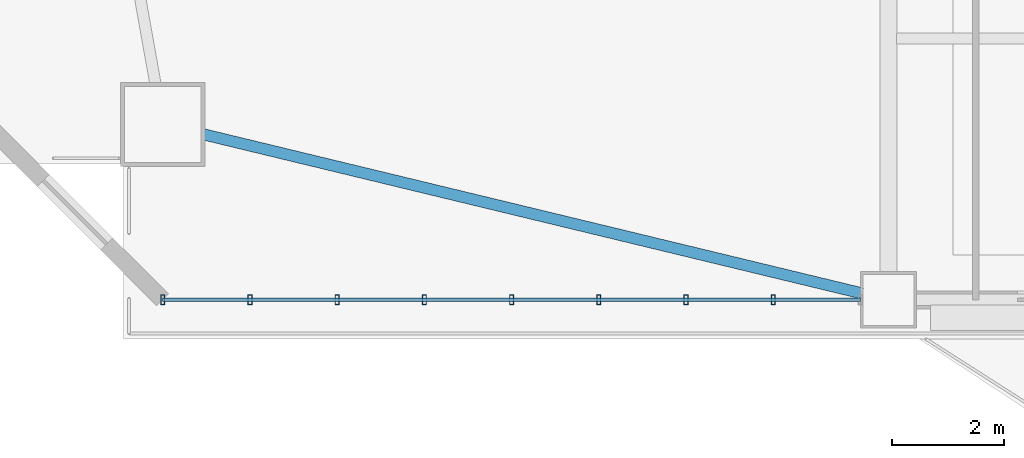
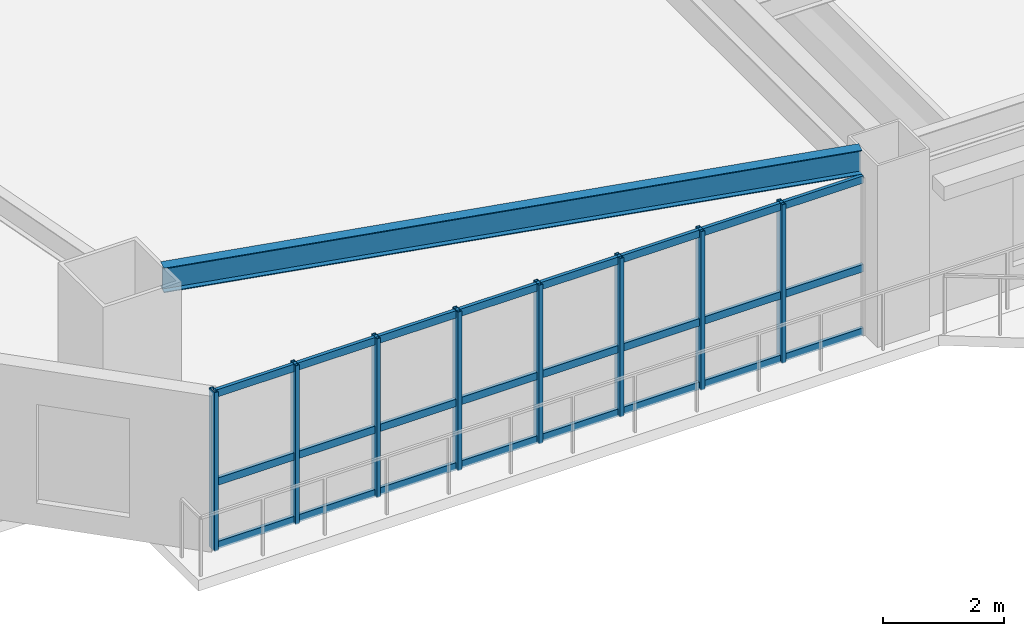
# One storey, part 2 of 18: 11 members, 1 beam, 1 element without a shape of its own.
"""IFC4 building model written with IfcOpenShell, lengths in metres."""

import ifcopenshell
import ifcopenshell.guid

model = None  # the IFC model being written
_history = None  # IfcOwnerHistory: only IFC2X3 demands one
_inside = {}  # id of a spatial element -> (the spatial element, [elements in it])
_under = {}  # id of a project, library or spatial element -> (it, [spatial elements below it])
_declared = {}  # id of a project -> (the project, [libraries it declares])
_typed = {}  # id of a type object -> (the type object, [elements of that type])
_made_of = {}  # id of a material, layer set ... -> (it, [elements and type objects made of it])


def new_model(schema):
    """Start an empty IFC model of exactly this schema.

    Asked for "IFC4X3", IfcOpenShell would pick the latest addendum, in which some entities
    have other attributes; the version numbers below select the first issue.
    IFC2X3 requires an IfcOwnerHistory on every rooted entity: one is made here for all.
    """
    global model, _history
    if schema == "IFC4X3":
        model = ifcopenshell.file(schema_version=(4, 3, 0, 0))
    else:
        model = ifcopenshell.file(schema=schema)
    _inside.clear()
    _under.clear()
    _declared.clear()
    _typed.clear()
    _made_of.clear()
    _history = None
    if model.schema == "IFC2X3":
        org = make("IfcOrganization", Name="unknown")
        user = make(
            "IfcPersonAndOrganization",
            ThePerson=make("IfcPerson", FamilyName="unknown"),
            TheOrganization=org,
        )
        app = make(
            "IfcApplication",
            ApplicationDeveloper=org,
            Version="unknown",
            ApplicationFullName="unknown",
            ApplicationIdentifier="unknown",
        )
        _history = make(
            "IfcOwnerHistory",
            OwningUser=user,
            OwningApplication=app,
            ChangeAction="ADDED",
            CreationDate=0,
        )
    return model


def make(cls, **values):
    """One entity of the class cls with the attributes given. An attribute that is None is left unset."""
    return model.create_entity(
        cls, **{name: value for name, value in values.items() if value is not None}
    )


def rooted(cls, **values):
    """An entity with a GlobalId (a new one), such as an element, a storey or a relation."""
    return make(cls, GlobalId=ifcopenshell.guid.new(), OwnerHistory=_history, **values)


def si_unit(unit_type, name, prefix=None):
    """IfcSIUnit, for example si_unit("LENGTHUNIT", "METRE", prefix="MILLI")."""
    return make("IfcSIUnit", UnitType=unit_type, Prefix=prefix, Name=name)


def assignment(units):
    """IfcUnitAssignment: the units of a project."""
    return None if units is None else make("IfcUnitAssignment", Units=units)


def point(xyz):
    """IfcCartesianPoint."""
    return None if xyz is None else make("IfcCartesianPoint", Coordinates=xyz)


def direction(xyz):
    """IfcDirection."""
    return None if xyz is None else make("IfcDirection", DirectionRatios=xyz)


def frame(location, z_axis=None, x_axis=None):
    """IfcAxis2Placement3D, a coordinate frame: its origin and axes. An axis left out is left unset."""
    return make(
        "IfcAxis2Placement3D",
        Location=point(location),
        Axis=direction(z_axis),
        RefDirection=direction(x_axis),
    )


def frame_2d(location, x_axis=None):
    """IfcAxis2Placement2D, a coordinate frame in the plane: its origin and x axis."""
    return make(
        "IfcAxis2Placement2D", Location=point(location), RefDirection=direction(x_axis)
    )


def origin():
    """The frame at (0, 0, 0) with its axes left unset."""
    return frame((0.0, 0.0, 0.0))


def origin_2d():
    """The frame at (0, 0) in the plane with its x axis left unset."""
    return frame_2d((0.0, 0.0))


def place(relative_to, where):
    """IfcLocalPlacement: puts the frame where relative to a parent placement (None: the world)."""
    return make(
        "IfcLocalPlacement", PlacementRelTo=relative_to, RelativePlacement=where
    )


def context(
    kind, dimensions, precision=None, world=None, true_north=None, identifier=None
):
    """IfcGeometricRepresentationContext, for example the 3D "Model" context."""
    return make(
        "IfcGeometricRepresentationContext",
        ContextIdentifier=identifier,
        ContextType=kind,
        CoordinateSpaceDimension=dimensions,
        Precision=precision,
        WorldCoordinateSystem=world,
        TrueNorth=true_north,
    )


def subcontext(parent, identifier, kind, view, scale=None):
    """IfcGeometricRepresentationSubContext, for example "Body" below "Model"."""
    return make(
        "IfcGeometricRepresentationSubContext",
        ContextIdentifier=identifier,
        ContextType=kind,
        ParentContext=parent,
        TargetScale=scale,
        TargetView=view,
    )


def project(units=None, contexts=None):
    """IfcProject with its units and contexts."""
    return rooted(
        "IfcProject",
        Name="project",
        RepresentationContexts=contexts,
        UnitsInContext=assignment(units),
    )


def spatial(cls, under=None, at=None, **own):
    """A site, building, storey or space (cls), placed at a placement, below another one or the project."""
    s = rooted(cls, ObjectPlacement=at, **own)
    if under is not None:
        _under.setdefault(under.id(), (under, []))[1].append(s)
    return s


def profile(cls, at=None, kind="AREA", **sizes):
    """A parametric profile (cls). Its sizes go by their IFC names, for example OverallWidth=200.0."""
    return make(cls, ProfileType=kind, Position=at, **sizes)


def hollow_rectangle(**sizes):
    """IfcRectangleHollowProfileDef."""
    return profile("IfcRectangleHollowProfileDef", **sizes)


def i_section(**sizes):
    """IfcIShapeProfileDef."""
    return profile("IfcIShapeProfileDef", **sizes)


def extrude(swept, where, along, depth):
    """IfcExtrudedAreaSolid: the profile swept, set in the frame where, extruded along a direction by depth."""
    return make(
        "IfcExtrudedAreaSolid",
        SweptArea=swept,
        Position=where,
        ExtrudedDirection=direction(along),
        Depth=depth,
    )


def shape(context_of_items, identifier, shape_type, items):
    """IfcShapeRepresentation: the items that make up one representation, for example the "Body"."""
    return make(
        "IfcShapeRepresentation",
        ContextOfItems=context_of_items,
        RepresentationIdentifier=identifier,
        RepresentationType=shape_type,
        Items=items,
    )


def source(mapping_origin, context_of_items, identifier, shape_type, items):
    """IfcRepresentationMap: a shape defined once, which mapped items show again and again."""
    return make(
        "IfcRepresentationMap",
        MappingOrigin=mapping_origin,
        MappedRepresentation=shape(context_of_items, identifier, shape_type, items),
    )


def transform(
    local_origin,
    x_axis=None,
    y_axis=None,
    z_axis=None,
    scale=None,
    scale2=None,
    scale3=None,
    uniform=True,
):
    """IfcCartesianTransformationOperator3D, or its non-uniform kind. x_axis, y_axis, z_axis: its Axis1, 2, 3."""
    if uniform:
        return make(
            "IfcCartesianTransformationOperator3D",
            Axis1=direction(x_axis),
            Axis2=direction(y_axis),
            LocalOrigin=point(local_origin),
            Scale=scale,
            Axis3=direction(z_axis),
        )
    return make(
        "IfcCartesianTransformationOperator3DnonUniform",
        Axis1=direction(x_axis),
        Axis2=direction(y_axis),
        LocalOrigin=point(local_origin),
        Scale=scale,
        Axis3=direction(z_axis),
        Scale2=scale2,
        Scale3=scale3,
    )


def mapped(mapping_source, mapping_target):
    """IfcMappedItem: shows the shape of a source again, moved by a transform."""
    return make(
        "IfcMappedItem", MappingSource=mapping_source, MappingTarget=mapping_target
    )


def material(Name=None, Category=None):
    """IfcMaterial."""
    return make("IfcMaterial", Name=Name, Category=Category)


def layer(
    of_material, thickness, ventilated=None, Name=None, Category=None, Priority=None
):
    """IfcMaterialLayer: one layer of a wall or slab, of a material (None: an air gap)."""
    return make(
        "IfcMaterialLayer",
        Material=of_material,
        LayerThickness=thickness,
        IsVentilated=ventilated,
        Name=Name,
        Category=Category,
        Priority=Priority,
    )


def layer_set(layers, Name=None):
    """IfcMaterialLayerSet."""
    return make("IfcMaterialLayerSet", MaterialLayers=layers, LayerSetName=Name)


def material_profile(
    of_material, cross_section, Name=None, Category=None, Priority=None
):
    """IfcMaterialProfile: a cross section and its material."""
    return make(
        "IfcMaterialProfile",
        Name=Name,
        Material=of_material,
        Profile=cross_section,
        Priority=Priority,
        Category=Category,
    )


def profile_set(profiles, Name=None, composite=None):
    """IfcMaterialProfileSet."""
    return make(
        "IfcMaterialProfileSet",
        Name=Name,
        MaterialProfiles=profiles,
        CompositeProfile=composite,
    )


def made_of(thing, what):
    """Note that an element or type object is made of a material, layer set ...; save() writes the relation."""
    if what is not None:
        _made_of.setdefault(what.id(), (what, []))[1].append(thing)
    return thing


def type_object(cls, material=None, **own):
    """A type object (cls), such as IfcWallType, which elements share."""
    return made_of(rooted(cls, **own), material)


def element(
    cls,
    number,
    at=None,
    inside=None,
    cuts=None,
    type_object=None,
    material=None,
    context=None,
    identifier="Body",
    shape_type=None,
    held_by="IfcProductDefinitionShape",
    body=None,
    shapes=None,
    **own,
):
    """One element of the class cls, such as IfcWall. Its Tag is "e" and its number.

    at: its placement. inside: the storey or other place that contains it. cuts: it is an
    opening in that element (IfcRelVoidsElement). A single representation is given by context,
    identifier, shape_type and body (its items); several are given by shapes. held_by: the class
    of the entity that holds the representations. save() writes the other relations.
    """
    e = rooted(cls, Tag="e%d" % number, ObjectPlacement=at, **own)
    if body is not None:
        shapes = [shape(context, identifier, shape_type, body)]
    if shapes is not None:
        e.Representation = make(held_by, Representations=shapes)
    if inside is not None:
        _inside.setdefault(inside.id(), (inside, []))[1].append(e)
    if cuts is not None:
        rooted(
            "IfcRelVoidsElement", RelatingBuildingElement=cuts, RelatedOpeningElement=e
        )
    if type_object is not None:
        _typed.setdefault(type_object.id(), (type_object, []))[1].append(e)
    return made_of(e, material)


def aggregate(whole, parts):
    """IfcRelAggregates: a whole, such as a stair, and the parts it consists of."""
    return rooted("IfcRelAggregates", RelatingObject=whole, RelatedObjects=parts)


def save(model, path):
    """Write the relations noted so far, then the file.

    IfcRelAggregates (storeys below a building ...), IfcRelContainedInSpatialStructure (elements
    in a storey), IfcRelDefinesByType, IfcRelAssociatesMaterial and IfcRelDeclares: one each for
    every whole, place, type object, material and project.
    """
    for whole, parts in _under.values():
        aggregate(whole, parts)
    for where, things in _inside.values():
        rooted(
            "IfcRelContainedInSpatialStructure",
            RelatedElements=things,
            RelatingStructure=where,
        )
    for kind, things in _typed.values():
        rooted("IfcRelDefinesByType", RelatedObjects=things, RelatingType=kind)
    for what, things in _made_of.values():
        rooted("IfcRelAssociatesMaterial", RelatedObjects=things, RelatingMaterial=what)
    for by, libraries in _declared.values():
        rooted("IfcRelDeclares", RelatingContext=by, RelatedDefinitions=libraries)
    model.write(path)


model = new_model("IFC4")

# Units and contexts
model_context = context("Model", 3, precision=1e-05, world=origin(), true_north=direction((0.0, 1.0)))
body_context = subcontext(model_context, "Body", "Model", "MODEL_VIEW")
ifc_project = project(units=[si_unit("LENGTHUNIT", "METRE"), si_unit("AREAUNIT", "SQUARE_METRE"), si_unit("VOLUMEUNIT", "CUBIC_METRE"), si_unit("PLANEANGLEUNIT", "RADIAN"), si_unit("MASSUNIT", "GRAM", prefix="KILO")], contexts=[model_context])

# Site, building, storey
site_placement = place(None, origin())
site = spatial("IfcSite", under=ifc_project, at=site_placement, CompositionType="ELEMENT")
building_placement = place(site_placement, origin())
building = spatial("IfcBuilding", under=site, at=building_placement, Name="Giltprow Tower", CompositionType="ELEMENT")
storey_placement = place(building_placement, frame((0.0, 0.0, 65.0)))
storey = spatial("IfcBuildingStorey", under=building, at=storey_placement, Name="L16", CompositionType="ELEMENT", Elevation=65.0)

# Beam
ifc_material_1 = material(Name="Structural steel Q355B", Category="steel")
ifc_material_profile_1 = material_profile(ifc_material_1, i_section(OverallWidth=0.199951171875, OverallDepth=0.5, WebThickness=0.010009765625, FlangeThickness=0.01611328125, at=origin_2d()), Name="HN 500x200x10x16")
ifc_profile_set_1 = profile_set([ifc_material_profile_1], Name="Structural steel Q355B")
beam_type = type_object("IfcBeamType", Name="BM-SPAN-HN500", PredefinedType="SPANDREL", material=ifc_profile_set_1)
shared_shape_1 = source(origin(), body_context, "Body", "SweptSolid", [
    extrude(i_section(OverallWidth=0.199951171875, OverallDepth=0.5, WebThickness=0.010009765625, FlangeThickness=0.01611328125, at=origin_2d()), origin(), (0.0, 0.0, 1.0), 12.0751953125),
])
beam_placement = place(storey_placement, frame((7.64111328125, 7.8310546875, 3.429931640625), z_axis=(0.972050077533, -0.234773607478, 0.0), x_axis=(0.234773607478, 0.972050077533, 0.0)))
element("IfcBeam", 1, at=beam_placement, inside=storey, type_object=beam_type, Name="L16 Perimeter Spandrel Beam MC_SW-S1", PredefinedType="SPANDREL", context=body_context, shape_type="MappedRepresentation", body=[
    mapped(shared_shape_1, transform((0.0, 0.0, 0.0), x_axis=(1.0, 0.0, 0.0), y_axis=(0.0, 1.0, 0.0), z_axis=(0.0, 0.0, 1.0), scale=1.0)),
])

# Curtain wall, members
ifc_material_2 = material(Name="Anodized bronze", Category="metal")
ifc_layer = layer(ifc_material_2, 0.179931640625, Name="Anodized bronze")
ifc_layer_set = layer_set([ifc_layer], Name="Anodized bronze")
curtain_wall_type = type_object("IfcCurtainWallType", Name="CW-OFF-RECESSED", PredefinedType="NOTDEFINED", material=ifc_layer_set)
curtain_wall_placement = place(storey_placement, origin())
curtain_wall = element("IfcCurtainWall", 2, at=curtain_wall_placement, inside=storey, type_object=curtain_wall_type, Name="L16 South Recessed Curtain Wall 1", PredefinedType="NOTDEFINED")
ifc_material_profile_2 = material_profile(ifc_material_2, hollow_rectangle(XDim=0.074951171875, YDim=0.179931640625, WallThickness=0.008056640625, at=origin_2d()), Name="RHS 180x75x8")
ifc_profile_set_2 = profile_set([ifc_material_profile_2], Name="Anodized bronze")
member_type_1 = type_object("IfcMemberType", Name="CW-MULLION-180x75", PredefinedType="MULLION", material=ifc_profile_set_2)
shared_shape_2 = source(origin(), body_context, "Body", "SweptSolid", [
    extrude(hollow_rectangle(XDim=0.074951171875, YDim=0.179931640625, WallThickness=0.008056640625, at=origin_2d()), origin(), (0.0, 0.0, 1.0), 3.215087890625),
])
member_1_placement = place(storey_placement, frame((6.927001953125, 4.882080078125, -0.02001953125), z_axis=(0.0, 0.0, 1.0), x_axis=(1.0, 0.0, 0.0)))
member_1 = element("IfcMember", 3, at=member_1_placement, type_object=member_type_1, Name="L16 South Recessed Curtain Wall 1 Mullion 1", PredefinedType="MULLION", context=body_context, shape_type="MappedRepresentation", body=[
    mapped(shared_shape_2, transform((0.0, 0.0, 0.0), x_axis=(1.0, 0.0, 0.0), y_axis=(0.0, 1.0, 0.0), z_axis=(0.0, 0.0, 1.0), scale=1.0)),
])
member_2_placement = place(storey_placement, frame((8.47998046875, 4.882080078125, -0.02001953125), z_axis=(0.0, 0.0, 1.0), x_axis=(1.0, 0.0, 0.0)))
member_2 = element("IfcMember", 4, at=member_2_placement, type_object=member_type_1, Name="L16 South Recessed Curtain Wall 1 Mullion 2", PredefinedType="MULLION", context=body_context, shape_type="MappedRepresentation", body=[
    mapped(shared_shape_2, transform((0.0, 0.0, 0.0), x_axis=(1.0, 0.0, 0.0), y_axis=(0.0, 1.0, 0.0), z_axis=(0.0, 0.0, 1.0), scale=1.0)),
])
member_3_placement = place(storey_placement, frame((10.032958984375, 4.882080078125, -0.02001953125), z_axis=(0.0, 0.0, 1.0), x_axis=(1.0, 0.0, 0.0)))
member_3 = element("IfcMember", 5, at=member_3_placement, type_object=member_type_1, Name="L16 South Recessed Curtain Wall 1 Mullion 3", PredefinedType="MULLION", context=body_context, shape_type="MappedRepresentation", body=[
    mapped(shared_shape_2, transform((0.0, 0.0, 0.0), x_axis=(1.0, 0.0, 0.0), y_axis=(0.0, 1.0, 0.0), z_axis=(0.0, 0.0, 1.0), scale=1.0)),
])
member_4_placement = place(storey_placement, frame((11.5859375, 4.882080078125, -0.02001953125), z_axis=(0.0, 0.0, 1.0), x_axis=(1.0, 0.0, 0.0)))
member_4 = element("IfcMember", 6, at=member_4_placement, type_object=member_type_1, Name="L16 South Recessed Curtain Wall 1 Mullion 4", PredefinedType="MULLION", context=body_context, shape_type="MappedRepresentation", body=[
    mapped(shared_shape_2, transform((0.0, 0.0, 0.0), x_axis=(1.0, 0.0, 0.0), y_axis=(0.0, 1.0, 0.0), z_axis=(0.0, 0.0, 1.0), scale=1.0)),
])
member_5_placement = place(storey_placement, frame((13.138916015625, 4.882080078125, -0.02001953125), z_axis=(0.0, 0.0, 1.0), x_axis=(1.0, 0.0, 0.0)))
member_5 = element("IfcMember", 7, at=member_5_placement, type_object=member_type_1, Name="L16 South Recessed Curtain Wall 1 Mullion 5", PredefinedType="MULLION", context=body_context, shape_type="MappedRepresentation", body=[
    mapped(shared_shape_2, transform((0.0, 0.0, 0.0), x_axis=(1.0, 0.0, 0.0), y_axis=(0.0, 1.0, 0.0), z_axis=(0.0, 0.0, 1.0), scale=1.0)),
])
member_6_placement = place(storey_placement, frame((14.69091796875, 4.882080078125, -0.02001953125), z_axis=(0.0, 0.0, 1.0), x_axis=(1.0, 0.0, 0.0)))
member_6 = element("IfcMember", 8, at=member_6_placement, type_object=member_type_1, Name="L16 South Recessed Curtain Wall 1 Mullion 6", PredefinedType="MULLION", context=body_context, shape_type="MappedRepresentation", body=[
    mapped(shared_shape_2, transform((0.0, 0.0, 0.0), x_axis=(1.0, 0.0, 0.0), y_axis=(0.0, 1.0, 0.0), z_axis=(0.0, 0.0, 1.0), scale=1.0)),
])
member_7_placement = place(storey_placement, frame((16.243896484375, 4.882080078125, -0.02001953125), z_axis=(0.0, 0.0, 1.0), x_axis=(1.0, 0.0, 0.0)))
member_7 = element("IfcMember", 9, at=member_7_placement, type_object=member_type_1, Name="L16 South Recessed Curtain Wall 1 Mullion 7", PredefinedType="MULLION", context=body_context, shape_type="MappedRepresentation", body=[
    mapped(shared_shape_2, transform((0.0, 0.0, 0.0), x_axis=(1.0, 0.0, 0.0), y_axis=(0.0, 1.0, 0.0), z_axis=(0.0, 0.0, 1.0), scale=1.0)),
])
member_8_placement = place(storey_placement, frame((17.797119140625, 4.882080078125, -0.02001953125), z_axis=(0.0, 0.0, 1.0), x_axis=(1.0, 0.0, 0.0)))
member_8 = element("IfcMember", 10, at=member_8_placement, type_object=member_type_1, Name="L16 South Recessed Curtain Wall 1 Mullion 8", PredefinedType="MULLION", context=body_context, shape_type="MappedRepresentation", body=[
    mapped(shared_shape_2, transform((0.0, 0.0, 0.0), x_axis=(1.0, 0.0, 0.0), y_axis=(0.0, 1.0, 0.0), z_axis=(0.0, 0.0, 1.0), scale=1.0)),
])
ifc_material_profile_3 = material_profile(ifc_material_2, hollow_rectangle(XDim=0.06494140625, YDim=0.14990234375, WallThickness=0.006103515625, at=origin_2d()), Name="RHS 150x65x6")
ifc_profile_set_3 = profile_set([ifc_material_profile_3], Name="Anodized bronze")
member_type_2 = type_object("IfcMemberType", Name="CW-TRANSOM-150x65", PredefinedType="USERDEFINED", material=ifc_profile_set_3)
shared_shape_3 = source(origin(), body_context, "Body", "SweptSolid", [
    extrude(hollow_rectangle(XDim=0.06494140625, YDim=0.14990234375, WallThickness=0.006103515625, at=origin_2d()), origin(), (0.0, 0.0, 1.0), 12.423095703125),
])
member_9_placement = place(storey_placement, frame((6.927001953125, 4.882080078125, 0.0400390625), z_axis=(1.0, 0.0, 0.0), x_axis=(0.0, 1.0, 0.0)))
member_9 = element("IfcMember", 11, at=member_9_placement, type_object=member_type_2, Name="L16 South Recessed Curtain Wall 1 Transom 1", ObjectType="TRANSOM", PredefinedType="USERDEFINED", context=body_context, shape_type="MappedRepresentation", body=[
    mapped(shared_shape_3, transform((0.0, 0.0, 0.0), x_axis=(1.0, 0.0, 0.0), y_axis=(0.0, 1.0, 0.0), z_axis=(0.0, 0.0, 1.0), scale=1.0)),
])
member_10_placement = place(storey_placement, frame((6.927001953125, 4.882080078125, 1.326904296875), z_axis=(1.0, 0.0, 0.0), x_axis=(0.0, 1.0, 0.0)))
member_10 = element("IfcMember", 12, at=member_10_placement, type_object=member_type_2, Name="L16 South Recessed Curtain Wall 1 Transom 2", ObjectType="TRANSOM", PredefinedType="USERDEFINED", context=body_context, shape_type="MappedRepresentation", body=[
    mapped(shared_shape_3, transform((0.0, 0.0, 0.0), x_axis=(1.0, 0.0, 0.0), y_axis=(0.0, 1.0, 0.0), z_axis=(0.0, 0.0, 1.0), scale=1.0)),
])
member_11_placement = place(storey_placement, frame((6.927001953125, 4.882080078125, 3.1201171875), z_axis=(1.0, 0.0, 0.0), x_axis=(0.0, 1.0, 0.0)))
member_11 = element("IfcMember", 13, at=member_11_placement, type_object=member_type_2, Name="L16 South Recessed Curtain Wall 1 Transom 3", ObjectType="TRANSOM", PredefinedType="USERDEFINED", context=body_context, shape_type="MappedRepresentation", body=[
    mapped(shared_shape_3, transform((0.0, 0.0, 0.0), x_axis=(1.0, 0.0, 0.0), y_axis=(0.0, 1.0, 0.0), z_axis=(0.0, 0.0, 1.0), scale=1.0)),
])
aggregate(curtain_wall, [member_1, member_2, member_3, member_4, member_5, member_6, member_7, member_8, member_9, member_10, member_11])

save(model, "model.ifc")
